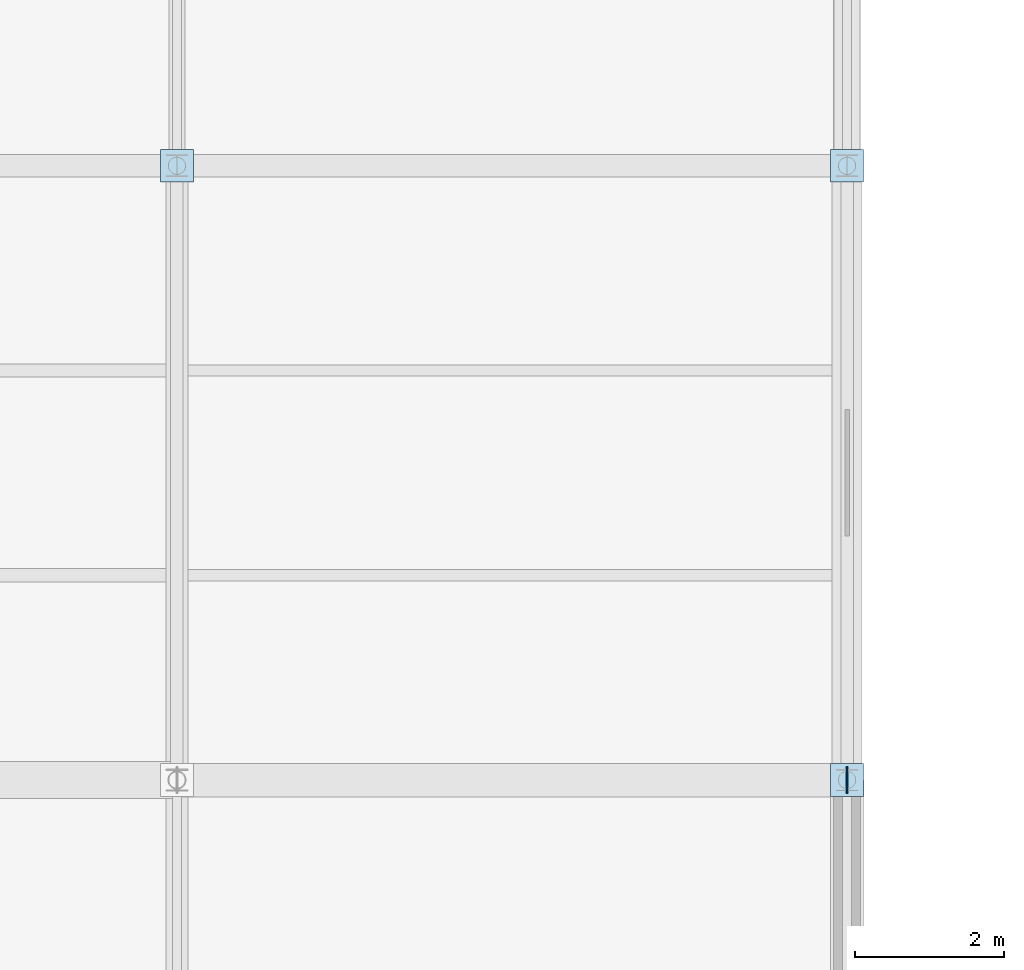
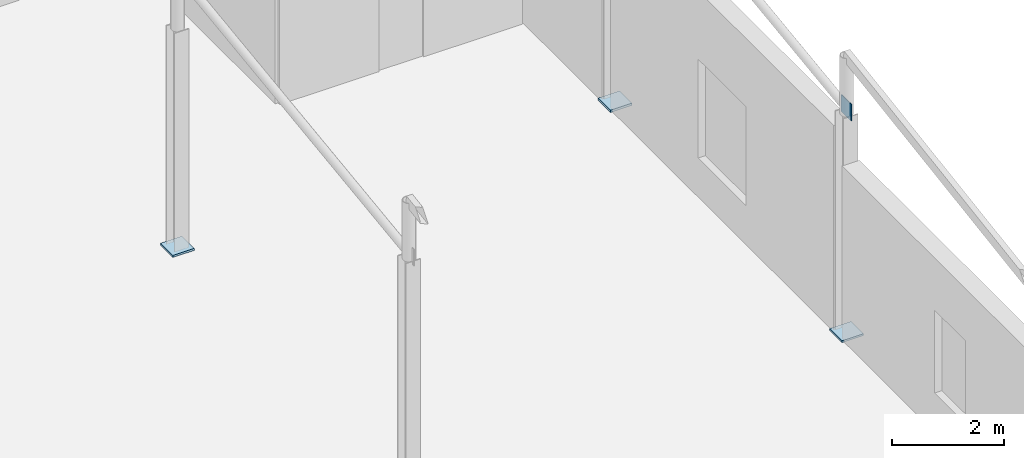
# One storey, part 29 of 54: 4 plates.
"""IFC4 building model written with IfcOpenShell, lengths in metres."""

from ifc_helpers import new_model, si_unit, direction, frame, origin, origin_2d, place, context, subcontext, project, spatial, rectangle, extrude, material, layer, layer_set, type_object, element, save


model = new_model("IFC4")

# Units and contexts
model_context = context("Model", 3, precision=1e-05, world=origin(), true_north=direction((0.0, 1.0)))
body_context = subcontext(model_context, "Body", "Model", "MODEL_VIEW")
ifc_project = project(units=[si_unit("LENGTHUNIT", "METRE"), si_unit("AREAUNIT", "SQUARE_METRE"), si_unit("VOLUMEUNIT", "CUBIC_METRE"), si_unit("PLANEANGLEUNIT", "RADIAN"), si_unit("MASSUNIT", "GRAM", prefix="KILO")], contexts=[model_context])

# Site, building, storey
site_placement = place(None, origin())
site = spatial("IfcSite", under=ifc_project, at=site_placement, CompositionType="ELEMENT")
building_placement = place(site_placement, origin())
building = spatial("IfcBuilding", under=site, at=building_placement, Name="Sundgate Opera House", CompositionType="ELEMENT")
storey_placement = place(building_placement, frame((0.0, 0.0, 16.800048828125)))
storey = spatial("IfcBuildingStorey", under=building, at=storey_placement, Name="L03", CompositionType="ELEMENT", Elevation=16.800048828125)

# Plates
ifc_material_1 = material(Name="Steel S355J2", Category="steel")
ifc_layer_1 = layer(ifc_material_1, 0.0400390625)
ifc_layer_set_1 = layer_set([ifc_layer_1], Name="Steel S355J2")
plate_type_1 = type_object("IfcPlateType", Name="PT-BAS-40", PredefinedType="USERDEFINED", material=ifc_layer_set_1)
plate_1_placement = place(storey_placement, frame((63.0, 95.25, 0.0), z_axis=(0.0, 0.0, 1.0), x_axis=(1.0, 0.0, 0.0)))
element("IfcPlate", 1, at=plate_1_placement, inside=storey, type_object=plate_type_1, Name="L03 Base Plate PT0112", ObjectType="BASE PLATE", PredefinedType="USERDEFINED", context=body_context, shape_type="SweptSolid", body=[
    extrude(rectangle(XDim=0.43994140625, YDim=0.43994140625, at=origin_2d()), origin(), (0.0, 0.0, 1.0), 0.0400390625),
])
ifc_material_2 = material(Name="Steel S355J2", Category="steel")
ifc_layer_2 = layer(ifc_material_2, 0.044921875)
ifc_layer_set_2 = layer_set([ifc_layer_2], Name="Steel S355J2")
plate_type_2 = type_object("IfcPlateType", Name="PT-BAS-45", PredefinedType="USERDEFINED", material=ifc_layer_set_2)
plate_2_placement = place(storey_placement, frame((54.0, 103.5, 0.0), z_axis=(0.0, 0.0, 1.0), x_axis=(1.0, 0.0, 0.0)))
element("IfcPlate", 2, at=plate_2_placement, inside=storey, type_object=plate_type_2, Name="L03 Base Plate PT0094", ObjectType="BASE PLATE", PredefinedType="USERDEFINED", context=body_context, shape_type="SweptSolid", body=[
    extrude(rectangle(XDim=0.43994140625, YDim=0.43994140625, at=origin_2d()), origin(), (0.0, 0.0, 1.0), 0.044921875),
])
ifc_material_3 = material(Name="Steel S355J2", Category="steel")
ifc_layer_3 = layer(ifc_material_3, 0.050048828125)
ifc_layer_set_3 = layer_set([ifc_layer_3], Name="Steel S355J2")
plate_type_3 = type_object("IfcPlateType", Name="PT-BAS-50", PredefinedType="USERDEFINED", material=ifc_layer_set_3)
plate_3_placement = place(storey_placement, frame((63.0, 103.5, 0.0), z_axis=(0.0, 0.0, 1.0), x_axis=(1.0, 0.0, 0.0)))
element("IfcPlate", 3, at=plate_3_placement, inside=storey, type_object=plate_type_3, Name="L03 Base Plate PT0113", ObjectType="BASE PLATE", PredefinedType="USERDEFINED", context=body_context, shape_type="SweptSolid", body=[
    extrude(rectangle(XDim=0.43994140625, YDim=0.43994140625, at=origin_2d()), origin(), (0.0, 0.0, 1.0), 0.050048828125),
])
ifc_material_4 = material(Name="Steel S355J2", Category="steel")
ifc_layer_4 = layer(ifc_material_4, 0.02001953125)
ifc_layer_set_4 = layer_set([ifc_layer_4], Name="Steel S355J2")
plate_type_4 = type_object("IfcPlateType", Name="PT-GUS-20", PredefinedType="USERDEFINED", material=ifc_layer_set_4)
plate_4_placement = place(storey_placement, frame((63.0, 95.25, 4.7197265625), z_axis=(0.0, 0.0, 1.0), x_axis=(1.0, 0.0, 0.0)))
element("IfcPlate", 4, at=plate_4_placement, inside=storey, type_object=plate_type_4, Name="L03 Atelier Brace Base Gusset", ObjectType="GUSSET PLATE", PredefinedType="USERDEFINED", context=body_context, shape_type="SweptSolid", body=[
    extrude(rectangle(XDim=0.02001953125, YDim=0.360107421875, at=origin_2d()), origin(), (0.0, 0.0, 1.0), 0.360107421875),
])

save(model, "model.ifc")
